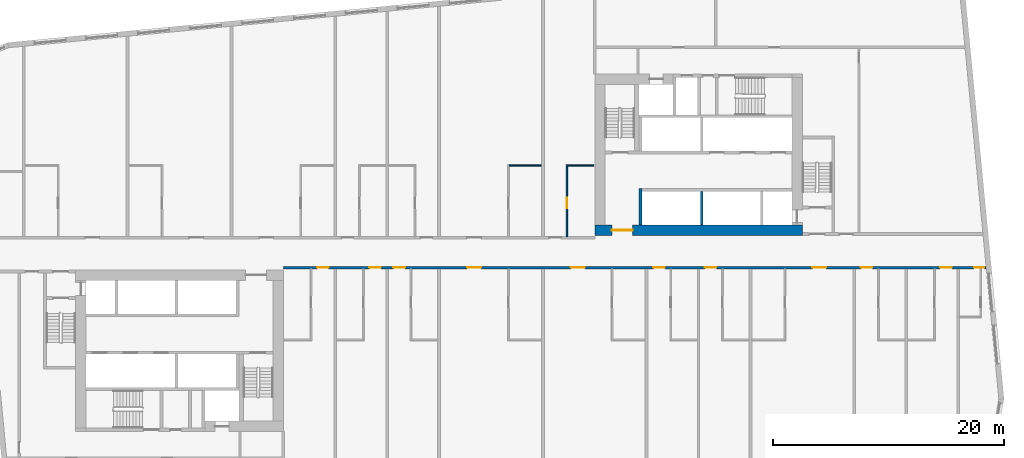
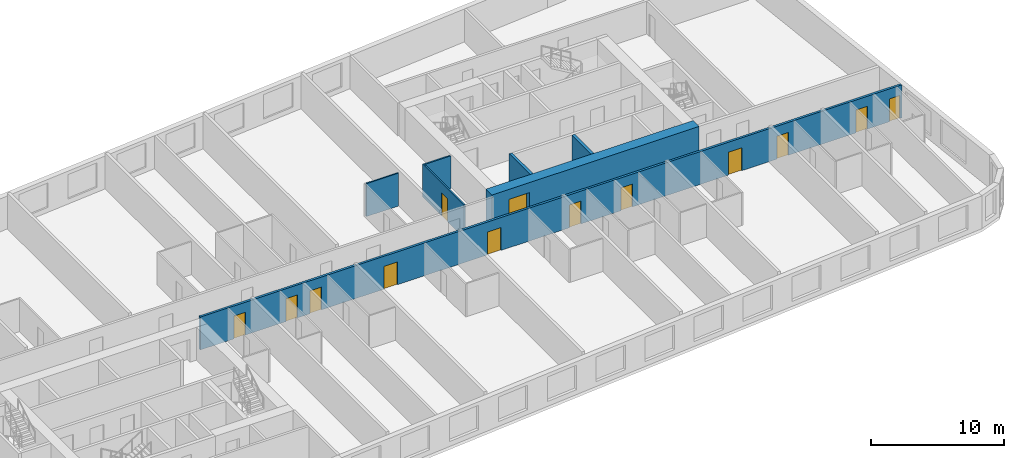
# One storey, part 5 of 12: 13 doors, 7 walls, 13 openings.
"""IFC4 building model written with IfcOpenShell, lengths in metres."""

from ifc_helpers import new_model, si_unit, direction, frame, frame_2d, origin, place, context, subcontext, project, spatial, rectangle, extrude, material, layer, layer_set, type_object, element, fill, save


model = new_model("IFC4")

# Units and contexts
model_context = context("Model", 3, precision=1e-05, world=origin(), true_north=direction((0.0, 1.0)))
body_context = subcontext(model_context, "Body", "Model", "MODEL_VIEW")
ifc_project = project(units=[si_unit("LENGTHUNIT", "METRE"), si_unit("AREAUNIT", "SQUARE_METRE"), si_unit("VOLUMEUNIT", "CUBIC_METRE"), si_unit("PLANEANGLEUNIT", "RADIAN"), si_unit("MASSUNIT", "GRAM", prefix="KILO")], contexts=[model_context])

# Site, building, storey
site_placement = place(None, origin())
site = spatial("IfcSite", under=ifc_project, at=site_placement, CompositionType="ELEMENT")
building_placement = place(site_placement, origin())
building = spatial("IfcBuilding", under=site, at=building_placement, Name="Kajstack Hotel Tower", CompositionType="ELEMENT")
storey_placement = place(building_placement, frame((0.0, 0.0, 137.199951171875)))
storey = spatial("IfcBuildingStorey", under=building, at=storey_placement, Name="L31", CompositionType="ELEMENT", Elevation=137.199951171875)

# Wall, opening, door
ifc_material_1 = material(Name="Concrete C60/75", Category="concrete")
ifc_layer_1 = layer(ifc_material_1, 0.89990234375)
ifc_layer_set_1 = layer_set([ifc_layer_1], Name="Core wall 900")
wall_type_1 = type_object("IfcWallType", Name="Core wall 900", PredefinedType="SHEAR", material=ifc_layer_set_1)
wall_1_placement = place(storey_placement, frame((13.5, 1.949951171875, 0.0), z_axis=(0.0, 0.0, 1.0), x_axis=(1.0, 0.0, 0.0)))
wall_1 = element("IfcWall", 1, at=wall_1_placement, inside=storey, type_object=wall_type_1, Name="Core wall E RN", PredefinedType="SHEAR", context=body_context, shape_type="SweptSolid", body=[
    extrude(rectangle(XDim=18.0, YDim=0.89990234375, at=frame_2d((9.0, 0.0))), origin(), (0.0, 0.0, 1.0), 3.02001953125),
])
opening_1_placement = place(wall_1_placement, frame((1.47509765625, 0.0, 0.0)))
opening_1 = element("IfcOpeningElement", 2, at=opening_1_placement, cuts=wall_1, Name="Opening 31E06", PredefinedType="OPENING", context=body_context, shape_type="SweptSolid", body=[
    extrude(rectangle(XDim=1.800048828125, YDim=2.10009765625, at=frame_2d((0.89990234375, 1.050048828125))), frame((0.0, 0.4599609375, 0.0), z_axis=(0.0, -1.0, 0.0), x_axis=(1.0, 0.0, 0.0)), (0.0, 0.0, 1.0), 0.919921875),
])
ifc_material_2 = material(Name="Glazed steel frame, fire-rated glass", Category="steel")
door_type_1 = type_object("IfcDoorType", Name="Lobby double door 1800", OperationType="DOUBLE_DOOR_DOUBLE_SWING", PredefinedType="DOOR", material=ifc_material_2)
door_1_placement = place(opening_1_placement, origin())
door_1 = element("IfcDoor", 3, at=door_1_placement, inside=storey, type_object=door_type_1, Name="Door 31E06", OperationType="DOUBLE_DOOR_DOUBLE_SWING", OverallHeight=2.10009765625, OverallWidth=1.800048828125, PredefinedType="DOOR", context=body_context, shape_type="SweptSolid", body=[
    extrude(rectangle(XDim=1.800048828125, YDim=2.10009765625, at=frame_2d((0.89990234375, 1.050048828125))), frame((0.0, 0.02490234375, 0.0), z_axis=(0.0, -1.0, 0.0), x_axis=(1.0, 0.0, 0.0)), (0.0, 0.0, 1.0), 0.050048828125),
])
fill(opening_1, door_1)

# Wall, openings, doors
ifc_material_3 = material(Name="Gypsum board on steel studs, mineral wool", Category="steel")
ifc_layer_2 = layer(ifc_material_3, 0.199951171875)
ifc_layer_set_2 = layer_set([ifc_layer_2], Name="Corridor wall 200")
wall_type_2 = type_object("IfcWallType", Name="Corridor wall 200", PredefinedType="PARTITIONING", material=ifc_layer_set_2)
wall_2_placement = place(storey_placement, frame((-13.5, -1.300048828125, 0.0), z_axis=(0.0, 0.0, 1.0), x_axis=(1.0, 0.0, 0.0)))
wall_2 = element("IfcWall", 4, at=wall_2_placement, inside=storey, type_object=wall_type_2, Name="G-wall-L31-021", PredefinedType="PARTITIONING", context=body_context, shape_type="SweptSolid", body=[
    extrude(rectangle(XDim=60.931884765625, YDim=0.199951171875, at=frame_2d((30.4658203125, 0.0))), origin(), (0.0, 0.0, 1.0), 3.02001953125),
])
opening_2_placement = place(wall_2_placement, frame((2.925048828125, 0.0, 0.0)))
opening_2 = element("IfcOpeningElement", 5, at=opening_2_placement, cuts=wall_2, Name="Opening 31017", PredefinedType="OPENING", context=body_context, shape_type="SweptSolid", body=[
    extrude(rectangle(XDim=1.0, YDim=2.10009765625, at=frame_2d((0.5, 1.050048828125))), frame((0.0, 0.10986328125, 0.0), z_axis=(0.0, -1.0, 0.0), x_axis=(1.0, 0.0, 0.0)), (0.0, 0.0, 1.0), 0.219970703125),
])
opening_3_placement = place(wall_2_placement, frame((7.449951171875, 0.0, 0.0)))
opening_3 = element("IfcOpeningElement", 6, at=opening_3_placement, cuts=wall_2, Name="Opening 31019", PredefinedType="OPENING", context=body_context, shape_type="SweptSolid", body=[
    extrude(rectangle(XDim=1.0, YDim=2.10009765625, at=frame_2d((0.5, 1.050048828125))), frame((0.0, 0.10986328125, 0.0), z_axis=(0.0, -1.0, 0.0), x_axis=(1.0, 0.0, 0.0)), (0.0, 0.0, 1.0), 0.219970703125),
])
opening_4_placement = place(wall_2_placement, frame((9.550048828125, 0.0, 0.0)))
opening_4 = element("IfcOpeningElement", 7, at=opening_4_placement, cuts=wall_2, Name="Opening 31021", PredefinedType="OPENING", context=body_context, shape_type="SweptSolid", body=[
    extrude(rectangle(XDim=1.0, YDim=2.10009765625, at=frame_2d((0.5, 1.050048828125))), frame((0.0, 0.10986328125, 0.0), z_axis=(0.0, -1.0, 0.0), x_axis=(1.0, 0.0, 0.0)), (0.0, 0.0, 1.0), 0.219970703125),
])
opening_5_placement = place(wall_2_placement, frame((15.93798828125, 0.0, 0.0)))
opening_5 = element("IfcOpeningElement", 8, at=opening_5_placement, cuts=wall_2, Name="Opening 31023", PredefinedType="OPENING", context=body_context, shape_type="SweptSolid", body=[
    extrude(rectangle(XDim=1.199951171875, YDim=2.10009765625, at=frame_2d((0.60009765625, 1.050048828125))), frame((0.0, 0.10986328125, 0.0), z_axis=(0.0, -1.0, 0.0), x_axis=(1.0, 0.0, 0.0)), (0.0, 0.0, 1.0), 0.219970703125),
])
opening_6_placement = place(wall_2_placement, frame((24.93798828125, 0.0, 0.0)))
opening_6 = element("IfcOpeningElement", 9, at=opening_6_placement, cuts=wall_2, Name="Opening 31025", PredefinedType="OPENING", context=body_context, shape_type="SweptSolid", body=[
    extrude(rectangle(XDim=1.199951171875, YDim=2.10009765625, at=frame_2d((0.60009765625, 1.050048828125))), frame((0.0, 0.10986328125, 0.0), z_axis=(0.0, -1.0, 0.0), x_axis=(1.0, 0.0, 0.0)), (0.0, 0.0, 1.0), 0.219970703125),
])
opening_7_placement = place(wall_2_placement, frame((32.074951171875, 0.0, 0.0)))
opening_7 = element("IfcOpeningElement", 10, at=opening_7_placement, cuts=wall_2, Name="Opening 31027", PredefinedType="OPENING", context=body_context, shape_type="SweptSolid", body=[
    extrude(rectangle(XDim=1.0, YDim=2.10009765625, at=frame_2d((0.5, 1.050048828125))), frame((0.0, 0.10986328125, 0.0), z_axis=(0.0, -1.0, 0.0), x_axis=(1.0, 0.0, 0.0)), (0.0, 0.0, 1.0), 0.219970703125),
])
opening_8_placement = place(wall_2_placement, frame((36.550048828125, 0.0, 0.0)))
opening_8 = element("IfcOpeningElement", 11, at=opening_8_placement, cuts=wall_2, Name="Opening 31029", PredefinedType="OPENING", context=body_context, shape_type="SweptSolid", body=[
    extrude(rectangle(XDim=1.0, YDim=2.10009765625, at=frame_2d((0.5, 1.050048828125))), frame((0.0, 0.10986328125, 0.0), z_axis=(0.0, -1.0, 0.0), x_axis=(1.0, 0.0, 0.0)), (0.0, 0.0, 1.0), 0.219970703125),
])
opening_9_placement = place(wall_2_placement, frame((45.862060546875, 0.0, 0.0)))
opening_9 = element("IfcOpeningElement", 12, at=opening_9_placement, cuts=wall_2, Name="Opening 31031", PredefinedType="OPENING", context=body_context, shape_type="SweptSolid", body=[
    extrude(rectangle(XDim=1.199951171875, YDim=2.10009765625, at=frame_2d((0.60009765625, 1.050048828125))), frame((0.0, 0.10986328125, 0.0), z_axis=(0.0, -1.0, 0.0), x_axis=(1.0, 0.0, 0.0)), (0.0, 0.0, 1.0), 0.219970703125),
])
opening_10_placement = place(wall_2_placement, frame((50.074951171875, 0.0, 0.0)))
opening_10 = element("IfcOpeningElement", 13, at=opening_10_placement, cuts=wall_2, Name="Opening 31033", PredefinedType="OPENING", context=body_context, shape_type="SweptSolid", body=[
    extrude(rectangle(XDim=1.0, YDim=2.10009765625, at=frame_2d((0.5, 1.050048828125))), frame((0.0, 0.10986328125, 0.0), z_axis=(0.0, -1.0, 0.0), x_axis=(1.0, 0.0, 0.0)), (0.0, 0.0, 1.0), 0.219970703125),
])
opening_11_placement = place(wall_2_placement, frame((56.949951171875, 0.0, 0.0)))
opening_11 = element("IfcOpeningElement", 14, at=opening_11_placement, cuts=wall_2, Name="Opening 31035", PredefinedType="OPENING", context=body_context, shape_type="SweptSolid", body=[
    extrude(rectangle(XDim=1.0, YDim=2.10009765625, at=frame_2d((0.5, 1.050048828125))), frame((0.0, 0.10986328125, 0.0), z_axis=(0.0, -1.0, 0.0), x_axis=(1.0, 0.0, 0.0)), (0.0, 0.0, 1.0), 0.219970703125),
])
opening_12_placement = place(wall_2_placement, frame((59.882080078125, 0.0, 0.0)))
opening_12 = element("IfcOpeningElement", 15, at=opening_12_placement, cuts=wall_2, Name="Opening 31037", PredefinedType="OPENING", context=body_context, shape_type="SweptSolid", body=[
    extrude(rectangle(XDim=0.89990234375, YDim=2.10009765625, at=frame_2d((0.449951171875, 1.050048828125))), frame((0.0, 0.10986328125, 0.0), z_axis=(0.0, -1.0, 0.0), x_axis=(1.0, 0.0, 0.0)), (0.0, 0.0, 1.0), 0.219970703125),
])
ifc_material_4 = material(Name="Oak veneer on timber core, fire-rated leaf", Category="wood")
door_type_2 = type_object("IfcDoorType", Name="Flat entrance door 1000", OperationType="SINGLE_SWING_LEFT", PredefinedType="DOOR", material=ifc_material_4)
door_2_placement = place(opening_2_placement, origin())
door_2 = element("IfcDoor", 16, at=door_2_placement, inside=storey, type_object=door_type_2, Name="G-door-L31-17", OperationType="SINGLE_SWING_RIGHT", OverallHeight=2.10009765625, OverallWidth=1.0, PredefinedType="DOOR", context=body_context, shape_type="SweptSolid", body=[
    extrude(rectangle(XDim=1.0, YDim=2.10009765625, at=frame_2d((0.5, 1.050048828125))), frame((0.0, 0.02490234375, 0.0), z_axis=(0.0, -1.0, 0.0), x_axis=(1.0, 0.0, 0.0)), (0.0, 0.0, 1.0), 0.050048828125),
])
fill(opening_2, door_2)
door_3_placement = place(opening_3_placement, origin())
door_3 = element("IfcDoor", 17, at=door_3_placement, inside=storey, type_object=door_type_2, Name="G-door-L31-19", OperationType="SINGLE_SWING_LEFT", OverallHeight=2.10009765625, OverallWidth=1.0, PredefinedType="DOOR", context=body_context, shape_type="SweptSolid", body=[
    extrude(rectangle(XDim=1.0, YDim=2.10009765625, at=frame_2d((0.5, 1.050048828125))), frame((0.0, 0.02490234375, 0.0), z_axis=(0.0, -1.0, 0.0), x_axis=(1.0, 0.0, 0.0)), (0.0, 0.0, 1.0), 0.050048828125),
])
fill(opening_3, door_3)
door_4_placement = place(opening_4_placement, origin())
door_4 = element("IfcDoor", 18, at=door_4_placement, inside=storey, type_object=door_type_2, Name="G-door-L31-21", OperationType="SINGLE_SWING_RIGHT", OverallHeight=2.10009765625, OverallWidth=1.0, PredefinedType="DOOR", context=body_context, shape_type="SweptSolid", body=[
    extrude(rectangle(XDim=1.0, YDim=2.10009765625, at=frame_2d((0.5, 1.050048828125))), frame((0.0, 0.02490234375, 0.0), z_axis=(0.0, -1.0, 0.0), x_axis=(1.0, 0.0, 0.0)), (0.0, 0.0, 1.0), 0.050048828125),
])
fill(opening_4, door_4)
door_5_placement = place(opening_7_placement, origin())
door_5 = element("IfcDoor", 19, at=door_5_placement, inside=storey, type_object=door_type_2, Name="G-door-L31-27", OperationType="SINGLE_SWING_LEFT", OverallHeight=2.10009765625, OverallWidth=1.0, PredefinedType="DOOR", context=body_context, shape_type="SweptSolid", body=[
    extrude(rectangle(XDim=1.0, YDim=2.10009765625, at=frame_2d((0.5, 1.050048828125))), frame((0.0, 0.02490234375, 0.0), z_axis=(0.0, -1.0, 0.0), x_axis=(1.0, 0.0, 0.0)), (0.0, 0.0, 1.0), 0.050048828125),
])
fill(opening_7, door_5)
door_6_placement = place(opening_8_placement, origin())
door_6 = element("IfcDoor", 20, at=door_6_placement, inside=storey, type_object=door_type_2, Name="G-door-L31-29", OperationType="SINGLE_SWING_LEFT", OverallHeight=2.10009765625, OverallWidth=1.0, PredefinedType="DOOR", context=body_context, shape_type="SweptSolid", body=[
    extrude(rectangle(XDim=1.0, YDim=2.10009765625, at=frame_2d((0.5, 1.050048828125))), frame((0.0, 0.02490234375, 0.0), z_axis=(0.0, -1.0, 0.0), x_axis=(1.0, 0.0, 0.0)), (0.0, 0.0, 1.0), 0.050048828125),
])
fill(opening_8, door_6)
door_7_placement = place(opening_10_placement, origin())
door_7 = element("IfcDoor", 21, at=door_7_placement, inside=storey, type_object=door_type_2, Name="G-door-L31-33", OperationType="SINGLE_SWING_LEFT", OverallHeight=2.10009765625, OverallWidth=1.0, PredefinedType="DOOR", context=body_context, shape_type="SweptSolid", body=[
    extrude(rectangle(XDim=1.0, YDim=2.10009765625, at=frame_2d((0.5, 1.050048828125))), frame((0.0, 0.02490234375, 0.0), z_axis=(0.0, -1.0, 0.0), x_axis=(1.0, 0.0, 0.0)), (0.0, 0.0, 1.0), 0.050048828125),
])
fill(opening_10, door_7)
door_8_placement = place(opening_11_placement, origin())
door_8 = element("IfcDoor", 22, at=door_8_placement, inside=storey, type_object=door_type_2, Name="G-door-L31-35", OperationType="SINGLE_SWING_RIGHT", OverallHeight=2.10009765625, OverallWidth=1.0, PredefinedType="DOOR", context=body_context, shape_type="SweptSolid", body=[
    extrude(rectangle(XDim=1.0, YDim=2.10009765625, at=frame_2d((0.5, 1.050048828125))), frame((0.0, 0.02490234375, 0.0), z_axis=(0.0, -1.0, 0.0), x_axis=(1.0, 0.0, 0.0)), (0.0, 0.0, 1.0), 0.050048828125),
])
fill(opening_11, door_8)
door_type_3 = type_object("IfcDoorType", Name="Flat entrance door 1200", OperationType="SINGLE_SWING_LEFT", PredefinedType="DOOR", material=ifc_material_4)
door_9_placement = place(opening_5_placement, origin())
door_9 = element("IfcDoor", 23, at=door_9_placement, inside=storey, type_object=door_type_3, Name="G-door-L31-23", OperationType="SINGLE_SWING_RIGHT", OverallHeight=2.10009765625, OverallWidth=1.199951171875, PredefinedType="DOOR", context=body_context, shape_type="SweptSolid", body=[
    extrude(rectangle(XDim=1.199951171875, YDim=2.10009765625, at=frame_2d((0.60009765625, 1.050048828125))), frame((0.0, 0.02490234375, 0.0), z_axis=(0.0, -1.0, 0.0), x_axis=(1.0, 0.0, 0.0)), (0.0, 0.0, 1.0), 0.050048828125),
])
fill(opening_5, door_9)
door_10_placement = place(opening_6_placement, origin())
door_10 = element("IfcDoor", 24, at=door_10_placement, inside=storey, type_object=door_type_3, Name="G-door-L31-25", OperationType="SINGLE_SWING_RIGHT", OverallHeight=2.10009765625, OverallWidth=1.199951171875, PredefinedType="DOOR", context=body_context, shape_type="SweptSolid", body=[
    extrude(rectangle(XDim=1.199951171875, YDim=2.10009765625, at=frame_2d((0.60009765625, 1.050048828125))), frame((0.0, 0.02490234375, 0.0), z_axis=(0.0, -1.0, 0.0), x_axis=(1.0, 0.0, 0.0)), (0.0, 0.0, 1.0), 0.050048828125),
])
fill(opening_6, door_10)
door_11_placement = place(opening_9_placement, origin())
door_11 = element("IfcDoor", 25, at=door_11_placement, inside=storey, type_object=door_type_3, Name="G-door-L31-31", OperationType="SINGLE_SWING_RIGHT", OverallHeight=2.10009765625, OverallWidth=1.199951171875, PredefinedType="DOOR", context=body_context, shape_type="SweptSolid", body=[
    extrude(rectangle(XDim=1.199951171875, YDim=2.10009765625, at=frame_2d((0.60009765625, 1.050048828125))), frame((0.0, 0.02490234375, 0.0), z_axis=(0.0, -1.0, 0.0), x_axis=(1.0, 0.0, 0.0)), (0.0, 0.0, 1.0), 0.050048828125),
])
fill(opening_9, door_11)
ifc_material_5 = material(Name="Painted timber door leaf", Category="wood")
door_type_4 = type_object("IfcDoorType", Name="Room door 900", OperationType="SINGLE_SWING_LEFT", PredefinedType="DOOR", material=ifc_material_5)
door_12_placement = place(opening_12_placement, origin())
door_12 = element("IfcDoor", 26, at=door_12_placement, inside=storey, type_object=door_type_4, Name="G-door-L31-37", OperationType="SINGLE_SWING_RIGHT", OverallHeight=2.10009765625, OverallWidth=0.89990234375, PredefinedType="DOOR", context=body_context, shape_type="SweptSolid", body=[
    extrude(rectangle(XDim=0.89990234375, YDim=2.10009765625, at=frame_2d((0.449951171875, 1.050048828125))), frame((0.0, 0.02490234375, 0.0), z_axis=(0.0, -1.0, 0.0), x_axis=(1.0, 0.0, 0.0)), (0.0, 0.0, 1.0), 0.050048828125),
])
fill(opening_12, door_12)

# Wall
ifc_material_6 = material(Name="Gypsum board and tiled backer on steel studs", Category="steel")
ifc_layer_3 = layer(ifc_material_6, 0.125)
ifc_layer_set_3 = layer_set([ifc_layer_3], Name="En-suite wall 125")
wall_type_3 = type_object("IfcWallType", Name="En-suite wall 125", PredefinedType="PARTITIONING", material=ifc_layer_set_3)
wall_3_placement = place(storey_placement, frame((6.074951171875, 7.56201171875, 0.0), z_axis=(0.0, 0.0, 1.0), x_axis=(1.0, 0.0, 0.0)))
element("IfcWall", 27, at=wall_3_placement, inside=storey, type_object=wall_type_3, Name="G-wall-L31-018", PredefinedType="PARTITIONING", context=body_context, shape_type="SweptSolid", body=[
    extrude(rectangle(XDim=2.800048828125, YDim=0.125, at=frame_2d((1.39990234375, 0.0))), origin(), (0.0, 0.0, 1.0), 3.02001953125),
])

# Wall, opening, door
wall_4_placement = place(storey_placement, frame((11.087890625, 1.39990234375, 0.0), z_axis=(0.0, 0.0, 1.0), x_axis=(0.0, 1.0, 0.0)))
wall_4 = element("IfcWall", 28, at=wall_4_placement, inside=storey, type_object=wall_type_3, Name="G-wall-L31-019", PredefinedType="PARTITIONING", context=body_context, shape_type="SweptSolid", body=[
    extrude(rectangle(XDim=6.22509765625, YDim=0.125, at=frame_2d((3.112548828125, 0.0))), origin(), (0.0, 0.0, 1.0), 3.02001953125),
])
opening_13_placement = place(wall_4_placement, frame((2.449951171875, 0.0, 0.0)))
opening_13 = element("IfcOpeningElement", 29, at=opening_13_placement, cuts=wall_4, Name="Opening 31016", PredefinedType="OPENING", context=body_context, shape_type="SweptSolid", body=[
    extrude(rectangle(XDim=0.89990234375, YDim=2.10009765625, at=frame_2d((0.449951171875, 1.050048828125))), frame((0.0, 0.072509765625, 0.0), z_axis=(0.0, -1.0, 0.0), x_axis=(1.0, 0.0, 0.0)), (0.0, 0.0, 1.0), 0.14501953125),
])
door_13_placement = place(opening_13_placement, origin())
door_13 = element("IfcDoor", 30, at=door_13_placement, inside=storey, type_object=door_type_4, Name="G-door-L31-16", OperationType="SINGLE_SWING_RIGHT", OverallHeight=2.10009765625, OverallWidth=0.89990234375, PredefinedType="DOOR", context=body_context, shape_type="SweptSolid", body=[
    extrude(rectangle(XDim=0.89990234375, YDim=2.10009765625, at=frame_2d((0.449951171875, 1.050048828125))), frame((0.0, 0.02490234375, 0.0), z_axis=(0.0, -1.0, 0.0), x_axis=(1.0, 0.0, 0.0)), (0.0, 0.0, 1.0), 0.050048828125),
])
fill(opening_13, door_13)

# Walls
wall_5_placement = place(storey_placement, frame((11.14990234375, 7.56201171875, 0.0), z_axis=(0.0, 0.0, 1.0), x_axis=(1.0, 0.0, 0.0)))
element("IfcWall", 31, at=wall_5_placement, inside=storey, type_object=wall_type_3, Name="G-wall-L31-020", PredefinedType="PARTITIONING", context=body_context, shape_type="SweptSolid", body=[
    extrude(rectangle(XDim=2.25, YDim=0.125, at=frame_2d((1.125, 0.0))), origin(), (0.0, 0.0, 1.0), 3.02001953125),
])
ifc_material_7 = material(Name="Concrete C50/60", Category="concrete")
ifc_layer_4 = layer(ifc_material_7, 0.300048828125)
ifc_layer_set_4 = layer_set([ifc_layer_4], Name="Hoistway divider wall 300")
wall_type_4 = type_object("IfcWallType", Name="Hoistway divider wall 300", PredefinedType="SHEAR", material=ifc_layer_set_4)
wall_6_placement = place(storey_placement, frame((22.77490234375, 2.39990234375, 0.0), z_axis=(0.0, 0.0, 1.0), x_axis=(0.0, 1.0, 0.0)))
element("IfcWall", 32, at=wall_6_placement, inside=storey, type_object=wall_type_4, Name="Core wall E AP2", PredefinedType="SHEAR", context=body_context, shape_type="SweptSolid", body=[
    extrude(rectangle(XDim=2.900146484375, YDim=0.25, at=frame_2d((1.4501953125, 0.0))), origin(), (0.0, 0.0, 1.0), 3.02001953125),
])
ifc_layer_5 = layer(ifc_material_7, 0.25)
ifc_layer_set_5 = layer_set([ifc_layer_5], Name="Shaft wall 250")
wall_type_5 = type_object("IfcWallType", Name="Shaft wall 250", PredefinedType="SHEAR", material=ifc_layer_set_5)
wall_7_placement = place(storey_placement, frame((17.47509765625, 2.39990234375, 0.0), z_axis=(0.0, 0.0, 1.0), x_axis=(0.0, 1.0, 0.0)))
element("IfcWall", 33, at=wall_7_placement, inside=storey, type_object=wall_type_5, Name="Core wall E AE", PredefinedType="SHEAR", context=body_context, shape_type="SweptSolid", body=[
    extrude(rectangle(XDim=3.150146484375, YDim=0.25, at=frame_2d((1.5751953125, 0.0))), origin(), (0.0, 0.0, 1.0), 3.02001953125),
])

save(model, "model.ifc")
